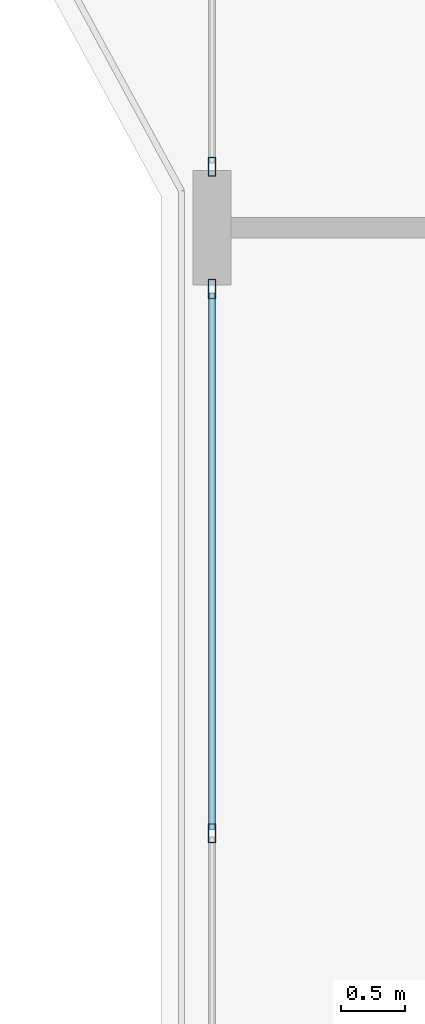
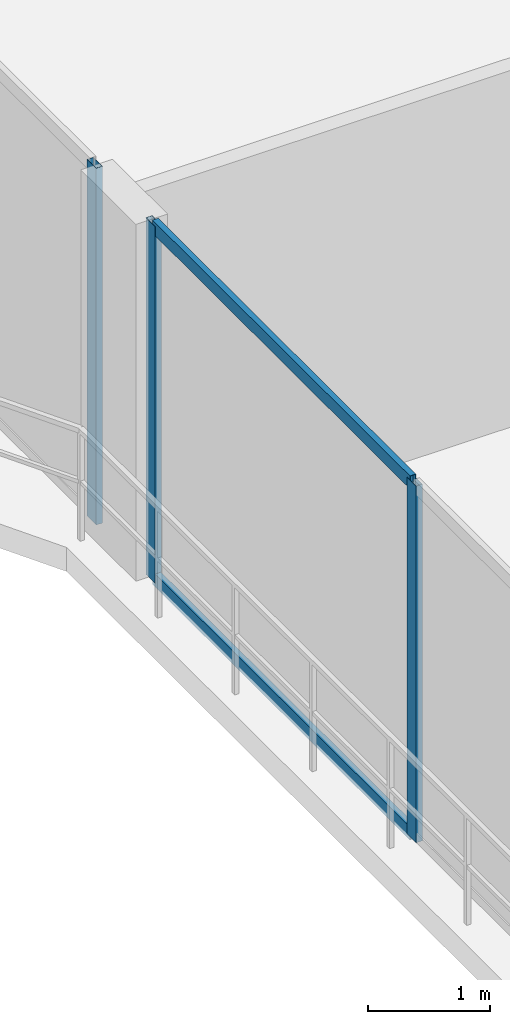
# One storey, part 4 of 27: 5 members, 2 elements without a shape of their own.
"""IFC4 building model written with IfcOpenShell, lengths in metres."""

from ifc_helpers import new_model, si_unit, direction, frame, origin, origin_2d, place, context, subcontext, project, spatial, hollow_rectangle, extrude, material, layer, layer_set, material_profile, profile_set, type_object, element, aggregate, save


model = new_model("IFC4")

# Units and contexts
model_context = context("Model", 3, precision=1e-05, world=origin(), true_north=direction((0.0, 1.0)))
body_context = subcontext(model_context, "Body", "Model", "MODEL_VIEW")
ifc_project = project(units=[si_unit("LENGTHUNIT", "METRE"), si_unit("AREAUNIT", "SQUARE_METRE"), si_unit("VOLUMEUNIT", "CUBIC_METRE"), si_unit("PLANEANGLEUNIT", "RADIAN"), si_unit("MASSUNIT", "GRAM", prefix="KILO")], contexts=[model_context])

# Site, building, storey
site_placement = place(None, origin())
site = spatial("IfcSite", under=ifc_project, at=site_placement, CompositionType="ELEMENT")
building_placement = place(site_placement, origin())
building = spatial("IfcBuilding", under=site, at=building_placement, Name="Zuhayl Quay Hotel", CompositionType="ELEMENT")
storey_placement = place(building_placement, frame((0.0, 0.0, 297.25)))
storey = spatial("IfcBuildingStorey", under=building, at=storey_placement, Name="Crown 1", CompositionType="ELEMENT", Elevation=297.25)

# Curtain wall, members
ifc_material_1 = material(Name="Anodised Aluminium 6063-T6", Category="aluminium")
ifc_layer = layer(ifc_material_1, 0.159912109375, Name="Anodised Aluminium 6063-T6", Category="aluminium")
ifc_layer_set = layer_set([ifc_layer], Name="Anodised Aluminium 6063-T6")
curtain_wall_type = type_object("IfcCurtainWallType", Name="CW_SYS_CRN", PredefinedType="USERDEFINED", material=ifc_layer_set)
curtain_wall_1_placement = place(storey_placement, origin())
curtain_wall_1 = element("IfcCurtainWall", 1, at=curtain_wall_1_placement, inside=storey, type_object=curtain_wall_type, Name="Crown 1 Curtain Wall ENV_CR1_E1_CW1", ObjectType="UNITISED CURTAIN WALL", PredefinedType="USERDEFINED")
ifc_material_2 = material(Name="Black-anodised aluminium 6063-T6", Category="aluminium")
ifc_material_profile_1 = material_profile(ifc_material_2, hollow_rectangle(XDim=0.06005859375, YDim=0.14990234375, WallThickness=0.00341796875, at=origin_2d()), Name="ALU150X60")
ifc_profile_set_1 = profile_set([ifc_material_profile_1], Name="Black-anodised aluminium 6063-T6")
member_type_1 = type_object("IfcMemberType", Name="MB_CW_MUL_150", PredefinedType="MULLION", material=ifc_profile_set_1)
member_1_placement = place(storey_placement, frame((-19.800048828125, 9.89990234375, 0.0), z_axis=(0.0, 0.0, 1.0), x_axis=(-1.0, 0.0, 0.0)))
member_1 = element("IfcMember", 2, at=member_1_placement, type_object=member_type_1, Name="CW-CRN mullion 2", PredefinedType="MULLION", context=body_context, shape_type="SweptSolid", body=[
    extrude(hollow_rectangle(XDim=0.06005859375, YDim=0.14990234375, WallThickness=0.00341796875, at=origin_2d()), origin(), (0.0, 0.0, 1.0), 3.56005859375),
])
member_2_placement = place(storey_placement, frame((-19.800048828125, 14.169921875, 0.0), z_axis=(0.0, 0.0, 1.0), x_axis=(-1.0, 0.0, 0.0)))
member_2 = element("IfcMember", 3, at=member_2_placement, type_object=member_type_1, Name="CW-CRN mullion 3", PredefinedType="MULLION", context=body_context, shape_type="SweptSolid", body=[
    extrude(hollow_rectangle(XDim=0.06005859375, YDim=0.14990234375, WallThickness=0.00341796875, at=origin_2d()), origin(), (0.0, 0.0, 1.0), 3.56005859375),
])

# Curtain wall, member
curtain_wall_2_placement = place(storey_placement, origin())
curtain_wall_2 = element("IfcCurtainWall", 4, at=curtain_wall_2_placement, inside=storey, type_object=curtain_wall_type, Name="Crown 1 Curtain Wall ENV_CR1_E1_CW2", ObjectType="UNITISED CURTAIN WALL", PredefinedType="USERDEFINED")
member_3_placement = place(storey_placement, frame((-19.800048828125, 15.1298828125, 0.0), z_axis=(0.0, 0.0, 1.0), x_axis=(-1.0, 0.0, 0.0)))
member_3 = element("IfcMember", 5, at=member_3_placement, type_object=member_type_1, Name="CW-CRN mullion 1", PredefinedType="MULLION", context=body_context, shape_type="SweptSolid", body=[
    extrude(hollow_rectangle(XDim=0.06005859375, YDim=0.14990234375, WallThickness=0.00341796875, at=origin_2d()), origin(), (0.0, 0.0, 1.0), 3.56005859375),
])
aggregate(curtain_wall_2, [member_3])

# Member
ifc_material_profile_2 = material_profile(ifc_material_2, hollow_rectangle(XDim=0.054931640625, YDim=0.1298828125, WallThickness=0.0029296875, at=origin_2d()), Name="ALU130X55")
ifc_profile_set_2 = profile_set([ifc_material_profile_2], Name="Black-anodised aluminium 6063-T6")
member_type_2 = type_object("IfcMemberType", Name="MB_CW_TRN_130", PredefinedType="USERDEFINED", material=ifc_profile_set_2)
member_4_placement = place(storey_placement, frame((-19.800048828125, 9.929931640625, 0.027587890625), z_axis=(0.0, 1.0, 0.0), x_axis=(-1.0, 0.0, 0.0)))
member_4 = element("IfcMember", 6, at=member_4_placement, type_object=member_type_2, Name="CW-CRN transom 2.1", ObjectType="TRANSOM", PredefinedType="USERDEFINED", context=body_context, shape_type="SweptSolid", body=[
    extrude(hollow_rectangle(XDim=0.054931640625, YDim=0.1298828125, WallThickness=0.0029296875, at=origin_2d()), origin(), (0.0, 0.0, 1.0), 4.2099609375),
])

member_5_placement = place(storey_placement, frame((-19.800048828125, 9.929931640625, 3.532470703125), z_axis=(0.0, 1.0, 0.0), x_axis=(-1.0, 0.0, 0.0)))
member_5 = element("IfcMember", 7, at=member_5_placement, type_object=member_type_2, Name="CW-CRN transom 2.2", ObjectType="TRANSOM", PredefinedType="USERDEFINED", context=body_context, shape_type="SweptSolid", body=[
    extrude(hollow_rectangle(XDim=0.054931640625, YDim=0.1298828125, WallThickness=0.0029296875, at=origin_2d()), origin(), (0.0, 0.0, 1.0), 4.2099609375),
])

aggregate(curtain_wall_1, [member_1, member_2, member_4, member_5])

save(model, "model.ifc")
